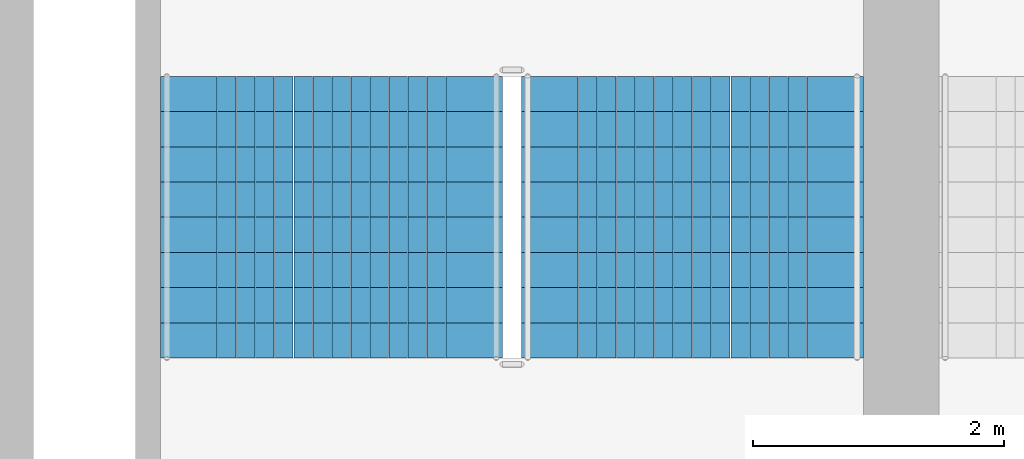
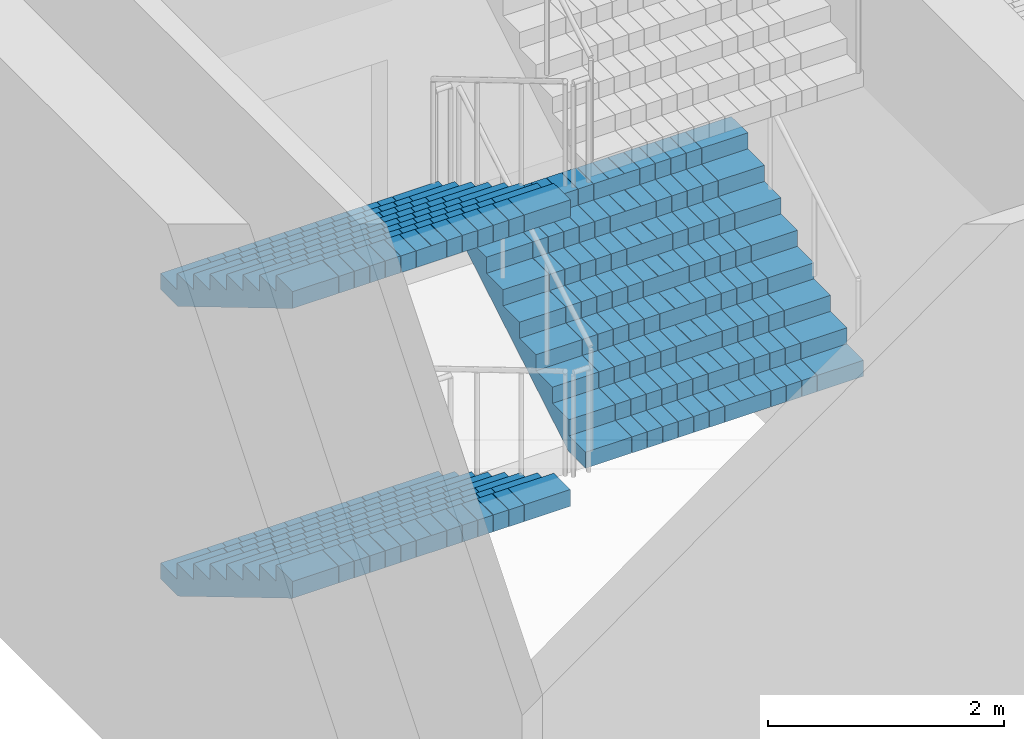
# One storey, part 20 of 43: 3 stair flights, 1 element without a shape of its own.
"""IFC4 building model written with IfcOpenShell, lengths in metres."""

from ifc_helpers import new_model, si_unit, direction, frame, origin, place, context, subcontext, project, spatial, polyline, outline, extrude, material, type_object, element, aggregate, save


model = new_model("IFC4")

# Units and contexts
model_context = context("Model", 3, precision=1e-05, world=origin(), true_north=direction((0.0, 1.0)))
body_context = subcontext(model_context, "Body", "Model", "MODEL_VIEW")
ifc_project = project(units=[si_unit("LENGTHUNIT", "METRE"), si_unit("AREAUNIT", "SQUARE_METRE"), si_unit("VOLUMEUNIT", "CUBIC_METRE"), si_unit("PLANEANGLEUNIT", "RADIAN"), si_unit("MASSUNIT", "GRAM", prefix="KILO")], contexts=[model_context])

# Site, building, storey
site_placement = place(None, origin())
site = spatial("IfcSite", under=ifc_project, at=site_placement, CompositionType="ELEMENT")
building_placement = place(site_placement, origin())
building = spatial("IfcBuilding", under=site, at=building_placement, Name="Corbelhall Arena Tower", CompositionType="ELEMENT")
storey_placement = place(building_placement, frame((0.0, 0.0, 25.0)))
storey = spatial("IfcBuildingStorey", under=building, at=storey_placement, Name="L03", CompositionType="ELEMENT", Elevation=25.0)

# Stair, stair flights
ifc_material = material(Name="Reinforced concrete C40/50", Category="concrete")
stair_type = type_object("IfcStairType", Name="AR-EXIT-STAIR", PredefinedType="HALF_TURN_STAIR", material=ifc_material)
stair_placement = place(storey_placement, origin())
stair = element("IfcStair", 1, at=stair_placement, inside=storey, type_object=stair_type, Name="L03 exit stair AS8", PredefinedType="HALF_TURN_STAIR")
stair_flight_type = type_object("IfcStairFlightType", Name="AR-EXIT-FLIGHT", PredefinedType="STRAIGHT", material=ifc_material)
stair_flight_1_placement = place(storey_placement, frame((-45.030029296875, -27.320068359375, 0.0), z_axis=(0.0, 0.0, 1.0), x_axis=(0.0, -1.0, 0.0)))
stair_flight_1 = element("IfcStairFlight", 2, at=stair_flight_1_placement, type_object=stair_flight_type, Name="AS8 flight 1", NumberOfRisers=9, NumberOfTreads=8, PredefinedType="STRAIGHT", RiserHeight=0.166666667, TreadLength=0.28, context=body_context, shape_type="SweptSolid", body=[
    extrude(outline(polyline([(0.0, 0.0), (0.0, 0.166748046875), (0.280029296875, 0.166748046875), (0.280029296875, 0.333251953125), (0.56005859375, 0.333251953125), (0.56005859375, 0.5), (0.840087890625, 0.5), (0.840087890625, 0.666748046875), (1.1201171875, 0.666748046875), (1.1201171875, 0.833251953125), (1.39990234375, 0.833251953125), (1.39990234375, 1.0), (1.679931640625, 1.0), (1.679931640625, 1.166748046875), (1.9599609375, 1.166748046875), (1.9599609375, 1.333251953125), (2.239990234375, 1.333251953125), (2.239990234375, 1.5), (2.239990234375, 1.158935546875), (0.29296875, 0.0), (0.0, 0.0)])), frame((0.0, 1.35986328125, 0.0), z_axis=(0.0, -1.0, 0.0), x_axis=(1.0, 0.0, 0.0)), (0.0, 0.0, 1.0), 0.449951171875),
    extrude(outline(polyline([(0.0, 0.0), (0.0, 0.166748046875), (0.280029296875, 0.166748046875), (0.280029296875, 0.333251953125), (0.56005859375, 0.333251953125), (0.56005859375, 0.5), (0.840087890625, 0.5), (0.840087890625, 0.666748046875), (1.1201171875, 0.666748046875), (1.1201171875, 0.833251953125), (1.39990234375, 0.833251953125), (1.39990234375, 1.0), (1.679931640625, 1.0), (1.679931640625, 1.166748046875), (1.9599609375, 1.166748046875), (1.9599609375, 1.333251953125), (2.239990234375, 1.333251953125), (2.239990234375, 1.5), (2.239990234375, 1.158935546875), (0.29296875, 0.0), (0.0, 0.0)])), frame((0.0, 0.906005859375, 0.0), z_axis=(0.0, -1.0, 0.0), x_axis=(1.0, 0.0, 0.0)), (0.0, 0.0, 1.0), 0.147216796875),
    extrude(outline(polyline([(0.0, 0.0), (0.0, 0.166748046875), (0.280029296875, 0.166748046875), (0.280029296875, 0.333251953125), (0.56005859375, 0.333251953125), (0.56005859375, 0.5), (0.840087890625, 0.5), (0.840087890625, 0.666748046875), (1.1201171875, 0.666748046875), (1.1201171875, 0.833251953125), (1.39990234375, 0.833251953125), (1.39990234375, 1.0), (1.679931640625, 1.0), (1.679931640625, 1.166748046875), (1.9599609375, 1.166748046875), (1.9599609375, 1.333251953125), (2.239990234375, 1.333251953125), (2.239990234375, 1.5), (2.239990234375, 1.158935546875), (0.29296875, 0.0), (0.0, 0.0)])), frame((0.0, 0.754638671875, 0.0), z_axis=(0.0, -1.0, 0.0), x_axis=(1.0, 0.0, 0.0)), (0.0, 0.0, 1.0), 0.147216796875),
    extrude(outline(polyline([(0.0, 0.0), (0.0, 0.166748046875), (0.280029296875, 0.166748046875), (0.280029296875, 0.333251953125), (0.56005859375, 0.333251953125), (0.56005859375, 0.5), (0.840087890625, 0.5), (0.840087890625, 0.666748046875), (1.1201171875, 0.666748046875), (1.1201171875, 0.833251953125), (1.39990234375, 0.833251953125), (1.39990234375, 1.0), (1.679931640625, 1.0), (1.679931640625, 1.166748046875), (1.9599609375, 1.166748046875), (1.9599609375, 1.333251953125), (2.239990234375, 1.333251953125), (2.239990234375, 1.5), (2.239990234375, 1.158935546875), (0.29296875, 0.0), (0.0, 0.0)])), frame((0.0, 0.603271484375, 0.0), z_axis=(0.0, -1.0, 0.0), x_axis=(1.0, 0.0, 0.0)), (0.0, 0.0, 1.0), 0.147216796875),
    extrude(outline(polyline([(0.0, 0.0), (0.0, 0.166748046875), (0.280029296875, 0.166748046875), (0.280029296875, 0.333251953125), (0.56005859375, 0.333251953125), (0.56005859375, 0.5), (0.840087890625, 0.5), (0.840087890625, 0.666748046875), (1.1201171875, 0.666748046875), (1.1201171875, 0.833251953125), (1.39990234375, 0.833251953125), (1.39990234375, 1.0), (1.679931640625, 1.0), (1.679931640625, 1.166748046875), (1.9599609375, 1.166748046875), (1.9599609375, 1.333251953125), (2.239990234375, 1.333251953125), (2.239990234375, 1.5), (2.239990234375, 1.158935546875), (0.29296875, 0.0), (0.0, 0.0)])), frame((0.0, 0.451904296875, 0.0), z_axis=(0.0, -1.0, 0.0), x_axis=(1.0, 0.0, 0.0)), (0.0, 0.0, 1.0), 0.147216796875),
    extrude(outline(polyline([(0.0, 0.0), (0.0, 0.166748046875), (0.280029296875, 0.166748046875), (0.280029296875, 0.333251953125), (0.56005859375, 0.333251953125), (0.56005859375, 0.5), (0.840087890625, 0.5), (0.840087890625, 0.666748046875), (1.1201171875, 0.666748046875), (1.1201171875, 0.833251953125), (1.39990234375, 0.833251953125), (1.39990234375, 1.0), (1.679931640625, 1.0), (1.679931640625, 1.166748046875), (1.9599609375, 1.166748046875), (1.9599609375, 1.333251953125), (2.239990234375, 1.333251953125), (2.239990234375, 1.5), (2.239990234375, 1.158935546875), (0.29296875, 0.0), (0.0, 0.0)])), frame((0.0, 0.30078125, 0.0), z_axis=(0.0, -1.0, 0.0), x_axis=(1.0, 0.0, 0.0)), (0.0, 0.0, 1.0), 0.147216796875),
    extrude(outline(polyline([(0.0, 0.0), (0.0, 0.166748046875), (0.280029296875, 0.166748046875), (0.280029296875, 0.333251953125), (0.56005859375, 0.333251953125), (0.56005859375, 0.5), (0.840087890625, 0.5), (0.840087890625, 0.666748046875), (1.1201171875, 0.666748046875), (1.1201171875, 0.833251953125), (1.39990234375, 0.833251953125), (1.39990234375, 1.0), (1.679931640625, 1.0), (1.679931640625, 1.166748046875), (1.9599609375, 1.166748046875), (1.9599609375, 1.333251953125), (2.239990234375, 1.333251953125), (2.239990234375, 1.5), (2.239990234375, 1.158935546875), (0.29296875, 0.0), (0.0, 0.0)])), frame((0.0, 0.1494140625, 0.0), z_axis=(0.0, -1.0, 0.0), x_axis=(1.0, 0.0, 0.0)), (0.0, 0.0, 1.0), 0.147216796875),
    extrude(outline(polyline([(0.0, 0.0), (0.0, 0.166748046875), (0.280029296875, 0.166748046875), (0.280029296875, 0.333251953125), (0.56005859375, 0.333251953125), (0.56005859375, 0.5), (0.840087890625, 0.5), (0.840087890625, 0.666748046875), (1.1201171875, 0.666748046875), (1.1201171875, 0.833251953125), (1.39990234375, 0.833251953125), (1.39990234375, 1.0), (1.679931640625, 1.0), (1.679931640625, 1.166748046875), (1.9599609375, 1.166748046875), (1.9599609375, 1.333251953125), (2.239990234375, 1.333251953125), (2.239990234375, 1.5), (2.239990234375, 1.158935546875), (0.29296875, 0.0), (0.0, 0.0)])), frame((0.0, -0.001953125, 0.0), z_axis=(0.0, -1.0, 0.0), x_axis=(1.0, 0.0, 0.0)), (0.0, 0.0, 1.0), 0.147216796875),
    extrude(outline(polyline([(0.0, 0.0), (0.0, 0.166748046875), (0.280029296875, 0.166748046875), (0.280029296875, 0.333251953125), (0.56005859375, 0.333251953125), (0.56005859375, 0.5), (0.840087890625, 0.5), (0.840087890625, 0.666748046875), (1.1201171875, 0.666748046875), (1.1201171875, 0.833251953125), (1.39990234375, 0.833251953125), (1.39990234375, 1.0), (1.679931640625, 1.0), (1.679931640625, 1.166748046875), (1.9599609375, 1.166748046875), (1.9599609375, 1.333251953125), (2.239990234375, 1.333251953125), (2.239990234375, 1.5), (2.239990234375, 1.158935546875), (0.29296875, 0.0), (0.0, 0.0)])), frame((0.0, -0.1533203125, 0.0), z_axis=(0.0, -1.0, 0.0), x_axis=(1.0, 0.0, 0.0)), (0.0, 0.0, 1.0), 0.147216796875),
    extrude(outline(polyline([(0.0, 0.0), (0.0, 0.166748046875), (0.280029296875, 0.166748046875), (0.280029296875, 0.333251953125), (0.56005859375, 0.333251953125), (0.56005859375, 0.5), (0.840087890625, 0.5), (0.840087890625, 0.666748046875), (1.1201171875, 0.666748046875), (1.1201171875, 0.833251953125), (1.39990234375, 0.833251953125), (1.39990234375, 1.0), (1.679931640625, 1.0), (1.679931640625, 1.166748046875), (1.9599609375, 1.166748046875), (1.9599609375, 1.333251953125), (2.239990234375, 1.333251953125), (2.239990234375, 1.5), (2.239990234375, 1.158935546875), (0.29296875, 0.0), (0.0, 0.0)])), frame((0.0, -0.3046875, 0.0), z_axis=(0.0, -1.0, 0.0), x_axis=(1.0, 0.0, 0.0)), (0.0, 0.0, 1.0), 0.147216796875),
    extrude(outline(polyline([(0.0, 0.0), (0.0, 0.166748046875), (0.280029296875, 0.166748046875), (0.280029296875, 0.333251953125), (0.56005859375, 0.333251953125), (0.56005859375, 0.5), (0.840087890625, 0.5), (0.840087890625, 0.666748046875), (1.1201171875, 0.666748046875), (1.1201171875, 0.833251953125), (1.39990234375, 0.833251953125), (1.39990234375, 1.0), (1.679931640625, 1.0), (1.679931640625, 1.166748046875), (1.9599609375, 1.166748046875), (1.9599609375, 1.333251953125), (2.239990234375, 1.333251953125), (2.239990234375, 1.5), (2.239990234375, 1.158935546875), (0.29296875, 0.0), (0.0, 0.0)])), frame((0.0, -0.4560546875, 0.0), z_axis=(0.0, -1.0, 0.0), x_axis=(1.0, 0.0, 0.0)), (0.0, 0.0, 1.0), 0.147216796875),
    extrude(outline(polyline([(0.0, 0.0), (0.0, 0.166748046875), (0.280029296875, 0.166748046875), (0.280029296875, 0.333251953125), (0.56005859375, 0.333251953125), (0.56005859375, 0.5), (0.840087890625, 0.5), (0.840087890625, 0.666748046875), (1.1201171875, 0.666748046875), (1.1201171875, 0.833251953125), (1.39990234375, 0.833251953125), (1.39990234375, 1.0), (1.679931640625, 1.0), (1.679931640625, 1.166748046875), (1.9599609375, 1.166748046875), (1.9599609375, 1.333251953125), (2.239990234375, 1.333251953125), (2.239990234375, 1.5), (2.239990234375, 1.158935546875), (0.29296875, 0.0), (0.0, 0.0)])), frame((0.0, -0.607421875, 0.0), z_axis=(0.0, -1.0, 0.0), x_axis=(1.0, 0.0, 0.0)), (0.0, 0.0, 1.0), 0.147216796875),
    extrude(outline(polyline([(0.0, 0.0), (0.0, 0.166748046875), (0.280029296875, 0.166748046875), (0.280029296875, 0.333251953125), (0.56005859375, 0.333251953125), (0.56005859375, 0.5), (0.840087890625, 0.5), (0.840087890625, 0.666748046875), (1.1201171875, 0.666748046875), (1.1201171875, 0.833251953125), (1.39990234375, 0.833251953125), (1.39990234375, 1.0), (1.679931640625, 1.0), (1.679931640625, 1.166748046875), (1.9599609375, 1.166748046875), (1.9599609375, 1.333251953125), (2.239990234375, 1.333251953125), (2.239990234375, 1.5), (2.239990234375, 1.158935546875), (0.29296875, 0.0), (0.0, 0.0)])), frame((0.0, -0.758544921875, 0.0), z_axis=(0.0, -1.0, 0.0), x_axis=(1.0, 0.0, 0.0)), (0.0, 0.0, 1.0), 0.147216796875),
    extrude(outline(polyline([(0.0, 0.0), (0.0, 0.166748046875), (0.280029296875, 0.166748046875), (0.280029296875, 0.333251953125), (0.56005859375, 0.333251953125), (0.56005859375, 0.5), (0.840087890625, 0.5), (0.840087890625, 0.666748046875), (1.1201171875, 0.666748046875), (1.1201171875, 0.833251953125), (1.39990234375, 0.833251953125), (1.39990234375, 1.0), (1.679931640625, 1.0), (1.679931640625, 1.166748046875), (1.9599609375, 1.166748046875), (1.9599609375, 1.333251953125), (2.239990234375, 1.333251953125), (2.239990234375, 1.5), (2.239990234375, 1.158935546875), (0.29296875, 0.0), (0.0, 0.0)])), frame((0.0, -0.909912109375, 0.0), z_axis=(0.0, -1.0, 0.0), x_axis=(1.0, 0.0, 0.0)), (0.0, 0.0, 1.0), 0.449951171875),
])
stair_flight_2_placement = place(storey_placement, frame((-42.159912109375, -29.56005859375, 1.5), z_axis=(0.0, 0.0, 1.0), x_axis=(0.0, 1.0, 0.0)))
stair_flight_2 = element("IfcStairFlight", 3, at=stair_flight_2_placement, type_object=stair_flight_type, Name="AS8 flight 2", NumberOfRisers=9, NumberOfTreads=8, PredefinedType="STRAIGHT", RiserHeight=0.166666667, TreadLength=0.28, context=body_context, shape_type="SweptSolid", body=[
    extrude(outline(polyline([(0.0, 0.0), (0.0, 0.166748046875), (0.280029296875, 0.166748046875), (0.280029296875, 0.333251953125), (0.56005859375, 0.333251953125), (0.56005859375, 0.5), (0.840087890625, 0.5), (0.840087890625, 0.666748046875), (1.1201171875, 0.666748046875), (1.1201171875, 0.833251953125), (1.39990234375, 0.833251953125), (1.39990234375, 1.0), (1.679931640625, 1.0), (1.679931640625, 1.166748046875), (1.9599609375, 1.166748046875), (1.9599609375, 1.333251953125), (2.239990234375, 1.333251953125), (2.239990234375, 1.5), (2.239990234375, 1.158935546875), (0.29296875, 0.0), (0.0, 0.0)])), frame((0.0, 1.35986328125, 0.0), z_axis=(0.0, -1.0, 0.0), x_axis=(1.0, 0.0, 0.0)), (0.0, 0.0, 1.0), 0.449951171875),
    extrude(outline(polyline([(0.0, 0.0), (0.0, 0.166748046875), (0.280029296875, 0.166748046875), (0.280029296875, 0.333251953125), (0.56005859375, 0.333251953125), (0.56005859375, 0.5), (0.840087890625, 0.5), (0.840087890625, 0.666748046875), (1.1201171875, 0.666748046875), (1.1201171875, 0.833251953125), (1.39990234375, 0.833251953125), (1.39990234375, 1.0), (1.679931640625, 1.0), (1.679931640625, 1.166748046875), (1.9599609375, 1.166748046875), (1.9599609375, 1.333251953125), (2.239990234375, 1.333251953125), (2.239990234375, 1.5), (2.239990234375, 1.158935546875), (0.29296875, 0.0), (0.0, 0.0)])), frame((0.0, 0.906005859375, 0.0), z_axis=(0.0, -1.0, 0.0), x_axis=(1.0, 0.0, 0.0)), (0.0, 0.0, 1.0), 0.147216796875),
    extrude(outline(polyline([(0.0, 0.0), (0.0, 0.166748046875), (0.280029296875, 0.166748046875), (0.280029296875, 0.333251953125), (0.56005859375, 0.333251953125), (0.56005859375, 0.5), (0.840087890625, 0.5), (0.840087890625, 0.666748046875), (1.1201171875, 0.666748046875), (1.1201171875, 0.833251953125), (1.39990234375, 0.833251953125), (1.39990234375, 1.0), (1.679931640625, 1.0), (1.679931640625, 1.166748046875), (1.9599609375, 1.166748046875), (1.9599609375, 1.333251953125), (2.239990234375, 1.333251953125), (2.239990234375, 1.5), (2.239990234375, 1.158935546875), (0.29296875, 0.0), (0.0, 0.0)])), frame((0.0, 0.754638671875, 0.0), z_axis=(0.0, -1.0, 0.0), x_axis=(1.0, 0.0, 0.0)), (0.0, 0.0, 1.0), 0.147216796875),
    extrude(outline(polyline([(0.0, 0.0), (0.0, 0.166748046875), (0.280029296875, 0.166748046875), (0.280029296875, 0.333251953125), (0.56005859375, 0.333251953125), (0.56005859375, 0.5), (0.840087890625, 0.5), (0.840087890625, 0.666748046875), (1.1201171875, 0.666748046875), (1.1201171875, 0.833251953125), (1.39990234375, 0.833251953125), (1.39990234375, 1.0), (1.679931640625, 1.0), (1.679931640625, 1.166748046875), (1.9599609375, 1.166748046875), (1.9599609375, 1.333251953125), (2.239990234375, 1.333251953125), (2.239990234375, 1.5), (2.239990234375, 1.158935546875), (0.29296875, 0.0), (0.0, 0.0)])), frame((0.0, 0.603271484375, 0.0), z_axis=(0.0, -1.0, 0.0), x_axis=(1.0, 0.0, 0.0)), (0.0, 0.0, 1.0), 0.147216796875),
    extrude(outline(polyline([(0.0, 0.0), (0.0, 0.166748046875), (0.280029296875, 0.166748046875), (0.280029296875, 0.333251953125), (0.56005859375, 0.333251953125), (0.56005859375, 0.5), (0.840087890625, 0.5), (0.840087890625, 0.666748046875), (1.1201171875, 0.666748046875), (1.1201171875, 0.833251953125), (1.39990234375, 0.833251953125), (1.39990234375, 1.0), (1.679931640625, 1.0), (1.679931640625, 1.166748046875), (1.9599609375, 1.166748046875), (1.9599609375, 1.333251953125), (2.239990234375, 1.333251953125), (2.239990234375, 1.5), (2.239990234375, 1.158935546875), (0.29296875, 0.0), (0.0, 0.0)])), frame((0.0, 0.451904296875, 0.0), z_axis=(0.0, -1.0, 0.0), x_axis=(1.0, 0.0, 0.0)), (0.0, 0.0, 1.0), 0.147216796875),
    extrude(outline(polyline([(0.0, 0.0), (0.0, 0.166748046875), (0.280029296875, 0.166748046875), (0.280029296875, 0.333251953125), (0.56005859375, 0.333251953125), (0.56005859375, 0.5), (0.840087890625, 0.5), (0.840087890625, 0.666748046875), (1.1201171875, 0.666748046875), (1.1201171875, 0.833251953125), (1.39990234375, 0.833251953125), (1.39990234375, 1.0), (1.679931640625, 1.0), (1.679931640625, 1.166748046875), (1.9599609375, 1.166748046875), (1.9599609375, 1.333251953125), (2.239990234375, 1.333251953125), (2.239990234375, 1.5), (2.239990234375, 1.158935546875), (0.29296875, 0.0), (0.0, 0.0)])), frame((0.0, 0.30078125, 0.0), z_axis=(0.0, -1.0, 0.0), x_axis=(1.0, 0.0, 0.0)), (0.0, 0.0, 1.0), 0.147216796875),
    extrude(outline(polyline([(0.0, 0.0), (0.0, 0.166748046875), (0.280029296875, 0.166748046875), (0.280029296875, 0.333251953125), (0.56005859375, 0.333251953125), (0.56005859375, 0.5), (0.840087890625, 0.5), (0.840087890625, 0.666748046875), (1.1201171875, 0.666748046875), (1.1201171875, 0.833251953125), (1.39990234375, 0.833251953125), (1.39990234375, 1.0), (1.679931640625, 1.0), (1.679931640625, 1.166748046875), (1.9599609375, 1.166748046875), (1.9599609375, 1.333251953125), (2.239990234375, 1.333251953125), (2.239990234375, 1.5), (2.239990234375, 1.158935546875), (0.29296875, 0.0), (0.0, 0.0)])), frame((0.0, 0.1494140625, 0.0), z_axis=(0.0, -1.0, 0.0), x_axis=(1.0, 0.0, 0.0)), (0.0, 0.0, 1.0), 0.147216796875),
    extrude(outline(polyline([(0.0, 0.0), (0.0, 0.166748046875), (0.280029296875, 0.166748046875), (0.280029296875, 0.333251953125), (0.56005859375, 0.333251953125), (0.56005859375, 0.5), (0.840087890625, 0.5), (0.840087890625, 0.666748046875), (1.1201171875, 0.666748046875), (1.1201171875, 0.833251953125), (1.39990234375, 0.833251953125), (1.39990234375, 1.0), (1.679931640625, 1.0), (1.679931640625, 1.166748046875), (1.9599609375, 1.166748046875), (1.9599609375, 1.333251953125), (2.239990234375, 1.333251953125), (2.239990234375, 1.5), (2.239990234375, 1.158935546875), (0.29296875, 0.0), (0.0, 0.0)])), frame((0.0, -0.001953125, 0.0), z_axis=(0.0, -1.0, 0.0), x_axis=(1.0, 0.0, 0.0)), (0.0, 0.0, 1.0), 0.147216796875),
    extrude(outline(polyline([(0.0, 0.0), (0.0, 0.166748046875), (0.280029296875, 0.166748046875), (0.280029296875, 0.333251953125), (0.56005859375, 0.333251953125), (0.56005859375, 0.5), (0.840087890625, 0.5), (0.840087890625, 0.666748046875), (1.1201171875, 0.666748046875), (1.1201171875, 0.833251953125), (1.39990234375, 0.833251953125), (1.39990234375, 1.0), (1.679931640625, 1.0), (1.679931640625, 1.166748046875), (1.9599609375, 1.166748046875), (1.9599609375, 1.333251953125), (2.239990234375, 1.333251953125), (2.239990234375, 1.5), (2.239990234375, 1.158935546875), (0.29296875, 0.0), (0.0, 0.0)])), frame((0.0, -0.1533203125, 0.0), z_axis=(0.0, -1.0, 0.0), x_axis=(1.0, 0.0, 0.0)), (0.0, 0.0, 1.0), 0.147216796875),
    extrude(outline(polyline([(0.0, 0.0), (0.0, 0.166748046875), (0.280029296875, 0.166748046875), (0.280029296875, 0.333251953125), (0.56005859375, 0.333251953125), (0.56005859375, 0.5), (0.840087890625, 0.5), (0.840087890625, 0.666748046875), (1.1201171875, 0.666748046875), (1.1201171875, 0.833251953125), (1.39990234375, 0.833251953125), (1.39990234375, 1.0), (1.679931640625, 1.0), (1.679931640625, 1.166748046875), (1.9599609375, 1.166748046875), (1.9599609375, 1.333251953125), (2.239990234375, 1.333251953125), (2.239990234375, 1.5), (2.239990234375, 1.158935546875), (0.29296875, 0.0), (0.0, 0.0)])), frame((0.0, -0.3046875, 0.0), z_axis=(0.0, -1.0, 0.0), x_axis=(1.0, 0.0, 0.0)), (0.0, 0.0, 1.0), 0.147216796875),
    extrude(outline(polyline([(0.0, 0.0), (0.0, 0.166748046875), (0.280029296875, 0.166748046875), (0.280029296875, 0.333251953125), (0.56005859375, 0.333251953125), (0.56005859375, 0.5), (0.840087890625, 0.5), (0.840087890625, 0.666748046875), (1.1201171875, 0.666748046875), (1.1201171875, 0.833251953125), (1.39990234375, 0.833251953125), (1.39990234375, 1.0), (1.679931640625, 1.0), (1.679931640625, 1.166748046875), (1.9599609375, 1.166748046875), (1.9599609375, 1.333251953125), (2.239990234375, 1.333251953125), (2.239990234375, 1.5), (2.239990234375, 1.158935546875), (0.29296875, 0.0), (0.0, 0.0)])), frame((0.0, -0.4560546875, 0.0), z_axis=(0.0, -1.0, 0.0), x_axis=(1.0, 0.0, 0.0)), (0.0, 0.0, 1.0), 0.147216796875),
    extrude(outline(polyline([(0.0, 0.0), (0.0, 0.166748046875), (0.280029296875, 0.166748046875), (0.280029296875, 0.333251953125), (0.56005859375, 0.333251953125), (0.56005859375, 0.5), (0.840087890625, 0.5), (0.840087890625, 0.666748046875), (1.1201171875, 0.666748046875), (1.1201171875, 0.833251953125), (1.39990234375, 0.833251953125), (1.39990234375, 1.0), (1.679931640625, 1.0), (1.679931640625, 1.166748046875), (1.9599609375, 1.166748046875), (1.9599609375, 1.333251953125), (2.239990234375, 1.333251953125), (2.239990234375, 1.5), (2.239990234375, 1.158935546875), (0.29296875, 0.0), (0.0, 0.0)])), frame((0.0, -0.607421875, 0.0), z_axis=(0.0, -1.0, 0.0), x_axis=(1.0, 0.0, 0.0)), (0.0, 0.0, 1.0), 0.147216796875),
    extrude(outline(polyline([(0.0, 0.0), (0.0, 0.166748046875), (0.280029296875, 0.166748046875), (0.280029296875, 0.333251953125), (0.56005859375, 0.333251953125), (0.56005859375, 0.5), (0.840087890625, 0.5), (0.840087890625, 0.666748046875), (1.1201171875, 0.666748046875), (1.1201171875, 0.833251953125), (1.39990234375, 0.833251953125), (1.39990234375, 1.0), (1.679931640625, 1.0), (1.679931640625, 1.166748046875), (1.9599609375, 1.166748046875), (1.9599609375, 1.333251953125), (2.239990234375, 1.333251953125), (2.239990234375, 1.5), (2.239990234375, 1.158935546875), (0.29296875, 0.0), (0.0, 0.0)])), frame((0.0, -0.758544921875, 0.0), z_axis=(0.0, -1.0, 0.0), x_axis=(1.0, 0.0, 0.0)), (0.0, 0.0, 1.0), 0.147216796875),
    extrude(outline(polyline([(0.0, 0.0), (0.0, 0.166748046875), (0.280029296875, 0.166748046875), (0.280029296875, 0.333251953125), (0.56005859375, 0.333251953125), (0.56005859375, 0.5), (0.840087890625, 0.5), (0.840087890625, 0.666748046875), (1.1201171875, 0.666748046875), (1.1201171875, 0.833251953125), (1.39990234375, 0.833251953125), (1.39990234375, 1.0), (1.679931640625, 1.0), (1.679931640625, 1.166748046875), (1.9599609375, 1.166748046875), (1.9599609375, 1.333251953125), (2.239990234375, 1.333251953125), (2.239990234375, 1.5), (2.239990234375, 1.158935546875), (0.29296875, 0.0), (0.0, 0.0)])), frame((0.0, -0.909912109375, 0.0), z_axis=(0.0, -1.0, 0.0), x_axis=(1.0, 0.0, 0.0)), (0.0, 0.0, 1.0), 0.449951171875),
])
stair_flight_3_placement = place(storey_placement, frame((-45.030029296875, -27.320068359375, 3.0), z_axis=(0.0, 0.0, 1.0), x_axis=(0.0, -1.0, 0.0)))
stair_flight_3 = element("IfcStairFlight", 4, at=stair_flight_3_placement, type_object=stair_flight_type, Name="AS8 flight 3", NumberOfRisers=9, NumberOfTreads=8, PredefinedType="STRAIGHT", RiserHeight=0.166666667, TreadLength=0.28, context=body_context, shape_type="SweptSolid", body=[
    extrude(outline(polyline([(0.0, 0.0), (0.0, 0.166748046875), (0.280029296875, 0.166748046875), (0.280029296875, 0.333251953125), (0.56005859375, 0.333251953125), (0.56005859375, 0.5), (0.840087890625, 0.5), (0.840087890625, 0.666748046875), (1.1201171875, 0.666748046875), (1.1201171875, 0.833251953125), (1.39990234375, 0.833251953125), (1.39990234375, 1.0), (1.679931640625, 1.0), (1.679931640625, 1.166748046875), (1.9599609375, 1.166748046875), (1.9599609375, 1.333251953125), (2.239990234375, 1.333251953125), (2.239990234375, 1.5), (2.239990234375, 1.158935546875), (0.29296875, 0.0), (0.0, 0.0)])), frame((0.0, 1.35986328125, 0.0), z_axis=(0.0, -1.0, 0.0), x_axis=(1.0, 0.0, 0.0)), (0.0, 0.0, 1.0), 0.449951171875),
    extrude(outline(polyline([(0.0, 0.0), (0.0, 0.166748046875), (0.280029296875, 0.166748046875), (0.280029296875, 0.333251953125), (0.56005859375, 0.333251953125), (0.56005859375, 0.5), (0.840087890625, 0.5), (0.840087890625, 0.666748046875), (1.1201171875, 0.666748046875), (1.1201171875, 0.833251953125), (1.39990234375, 0.833251953125), (1.39990234375, 1.0), (1.679931640625, 1.0), (1.679931640625, 1.166748046875), (1.9599609375, 1.166748046875), (1.9599609375, 1.333251953125), (2.239990234375, 1.333251953125), (2.239990234375, 1.5), (2.239990234375, 1.158935546875), (0.29296875, 0.0), (0.0, 0.0)])), frame((0.0, 0.906005859375, 0.0), z_axis=(0.0, -1.0, 0.0), x_axis=(1.0, 0.0, 0.0)), (0.0, 0.0, 1.0), 0.147216796875),
    extrude(outline(polyline([(0.0, 0.0), (0.0, 0.166748046875), (0.280029296875, 0.166748046875), (0.280029296875, 0.333251953125), (0.56005859375, 0.333251953125), (0.56005859375, 0.5), (0.840087890625, 0.5), (0.840087890625, 0.666748046875), (1.1201171875, 0.666748046875), (1.1201171875, 0.833251953125), (1.39990234375, 0.833251953125), (1.39990234375, 1.0), (1.679931640625, 1.0), (1.679931640625, 1.166748046875), (1.9599609375, 1.166748046875), (1.9599609375, 1.333251953125), (2.239990234375, 1.333251953125), (2.239990234375, 1.5), (2.239990234375, 1.158935546875), (0.29296875, 0.0), (0.0, 0.0)])), frame((0.0, 0.754638671875, 0.0), z_axis=(0.0, -1.0, 0.0), x_axis=(1.0, 0.0, 0.0)), (0.0, 0.0, 1.0), 0.147216796875),
    extrude(outline(polyline([(0.0, 0.0), (0.0, 0.166748046875), (0.280029296875, 0.166748046875), (0.280029296875, 0.333251953125), (0.56005859375, 0.333251953125), (0.56005859375, 0.5), (0.840087890625, 0.5), (0.840087890625, 0.666748046875), (1.1201171875, 0.666748046875), (1.1201171875, 0.833251953125), (1.39990234375, 0.833251953125), (1.39990234375, 1.0), (1.679931640625, 1.0), (1.679931640625, 1.166748046875), (1.9599609375, 1.166748046875), (1.9599609375, 1.333251953125), (2.239990234375, 1.333251953125), (2.239990234375, 1.5), (2.239990234375, 1.158935546875), (0.29296875, 0.0), (0.0, 0.0)])), frame((0.0, 0.603271484375, 0.0), z_axis=(0.0, -1.0, 0.0), x_axis=(1.0, 0.0, 0.0)), (0.0, 0.0, 1.0), 0.147216796875),
    extrude(outline(polyline([(0.0, 0.0), (0.0, 0.166748046875), (0.280029296875, 0.166748046875), (0.280029296875, 0.333251953125), (0.56005859375, 0.333251953125), (0.56005859375, 0.5), (0.840087890625, 0.5), (0.840087890625, 0.666748046875), (1.1201171875, 0.666748046875), (1.1201171875, 0.833251953125), (1.39990234375, 0.833251953125), (1.39990234375, 1.0), (1.679931640625, 1.0), (1.679931640625, 1.166748046875), (1.9599609375, 1.166748046875), (1.9599609375, 1.333251953125), (2.239990234375, 1.333251953125), (2.239990234375, 1.5), (2.239990234375, 1.158935546875), (0.29296875, 0.0), (0.0, 0.0)])), frame((0.0, 0.451904296875, 0.0), z_axis=(0.0, -1.0, 0.0), x_axis=(1.0, 0.0, 0.0)), (0.0, 0.0, 1.0), 0.147216796875),
    extrude(outline(polyline([(0.0, 0.0), (0.0, 0.166748046875), (0.280029296875, 0.166748046875), (0.280029296875, 0.333251953125), (0.56005859375, 0.333251953125), (0.56005859375, 0.5), (0.840087890625, 0.5), (0.840087890625, 0.666748046875), (1.1201171875, 0.666748046875), (1.1201171875, 0.833251953125), (1.39990234375, 0.833251953125), (1.39990234375, 1.0), (1.679931640625, 1.0), (1.679931640625, 1.166748046875), (1.9599609375, 1.166748046875), (1.9599609375, 1.333251953125), (2.239990234375, 1.333251953125), (2.239990234375, 1.5), (2.239990234375, 1.158935546875), (0.29296875, 0.0), (0.0, 0.0)])), frame((0.0, 0.30078125, 0.0), z_axis=(0.0, -1.0, 0.0), x_axis=(1.0, 0.0, 0.0)), (0.0, 0.0, 1.0), 0.147216796875),
    extrude(outline(polyline([(0.0, 0.0), (0.0, 0.166748046875), (0.280029296875, 0.166748046875), (0.280029296875, 0.333251953125), (0.56005859375, 0.333251953125), (0.56005859375, 0.5), (0.840087890625, 0.5), (0.840087890625, 0.666748046875), (1.1201171875, 0.666748046875), (1.1201171875, 0.833251953125), (1.39990234375, 0.833251953125), (1.39990234375, 1.0), (1.679931640625, 1.0), (1.679931640625, 1.166748046875), (1.9599609375, 1.166748046875), (1.9599609375, 1.333251953125), (2.239990234375, 1.333251953125), (2.239990234375, 1.5), (2.239990234375, 1.158935546875), (0.29296875, 0.0), (0.0, 0.0)])), frame((0.0, 0.1494140625, 0.0), z_axis=(0.0, -1.0, 0.0), x_axis=(1.0, 0.0, 0.0)), (0.0, 0.0, 1.0), 0.147216796875),
    extrude(outline(polyline([(0.0, 0.0), (0.0, 0.166748046875), (0.280029296875, 0.166748046875), (0.280029296875, 0.333251953125), (0.56005859375, 0.333251953125), (0.56005859375, 0.5), (0.840087890625, 0.5), (0.840087890625, 0.666748046875), (1.1201171875, 0.666748046875), (1.1201171875, 0.833251953125), (1.39990234375, 0.833251953125), (1.39990234375, 1.0), (1.679931640625, 1.0), (1.679931640625, 1.166748046875), (1.9599609375, 1.166748046875), (1.9599609375, 1.333251953125), (2.239990234375, 1.333251953125), (2.239990234375, 1.5), (2.239990234375, 1.158935546875), (0.29296875, 0.0), (0.0, 0.0)])), frame((0.0, -0.001953125, 0.0), z_axis=(0.0, -1.0, 0.0), x_axis=(1.0, 0.0, 0.0)), (0.0, 0.0, 1.0), 0.147216796875),
    extrude(outline(polyline([(0.0, 0.0), (0.0, 0.166748046875), (0.280029296875, 0.166748046875), (0.280029296875, 0.333251953125), (0.56005859375, 0.333251953125), (0.56005859375, 0.5), (0.840087890625, 0.5), (0.840087890625, 0.666748046875), (1.1201171875, 0.666748046875), (1.1201171875, 0.833251953125), (1.39990234375, 0.833251953125), (1.39990234375, 1.0), (1.679931640625, 1.0), (1.679931640625, 1.166748046875), (1.9599609375, 1.166748046875), (1.9599609375, 1.333251953125), (2.239990234375, 1.333251953125), (2.239990234375, 1.5), (2.239990234375, 1.158935546875), (0.29296875, 0.0), (0.0, 0.0)])), frame((0.0, -0.1533203125, 0.0), z_axis=(0.0, -1.0, 0.0), x_axis=(1.0, 0.0, 0.0)), (0.0, 0.0, 1.0), 0.147216796875),
    extrude(outline(polyline([(0.0, 0.0), (0.0, 0.166748046875), (0.280029296875, 0.166748046875), (0.280029296875, 0.333251953125), (0.56005859375, 0.333251953125), (0.56005859375, 0.5), (0.840087890625, 0.5), (0.840087890625, 0.666748046875), (1.1201171875, 0.666748046875), (1.1201171875, 0.833251953125), (1.39990234375, 0.833251953125), (1.39990234375, 1.0), (1.679931640625, 1.0), (1.679931640625, 1.166748046875), (1.9599609375, 1.166748046875), (1.9599609375, 1.333251953125), (2.239990234375, 1.333251953125), (2.239990234375, 1.5), (2.239990234375, 1.158935546875), (0.29296875, 0.0), (0.0, 0.0)])), frame((0.0, -0.3046875, 0.0), z_axis=(0.0, -1.0, 0.0), x_axis=(1.0, 0.0, 0.0)), (0.0, 0.0, 1.0), 0.147216796875),
    extrude(outline(polyline([(0.0, 0.0), (0.0, 0.166748046875), (0.280029296875, 0.166748046875), (0.280029296875, 0.333251953125), (0.56005859375, 0.333251953125), (0.56005859375, 0.5), (0.840087890625, 0.5), (0.840087890625, 0.666748046875), (1.1201171875, 0.666748046875), (1.1201171875, 0.833251953125), (1.39990234375, 0.833251953125), (1.39990234375, 1.0), (1.679931640625, 1.0), (1.679931640625, 1.166748046875), (1.9599609375, 1.166748046875), (1.9599609375, 1.333251953125), (2.239990234375, 1.333251953125), (2.239990234375, 1.5), (2.239990234375, 1.158935546875), (0.29296875, 0.0), (0.0, 0.0)])), frame((0.0, -0.4560546875, 0.0), z_axis=(0.0, -1.0, 0.0), x_axis=(1.0, 0.0, 0.0)), (0.0, 0.0, 1.0), 0.147216796875),
    extrude(outline(polyline([(0.0, 0.0), (0.0, 0.166748046875), (0.280029296875, 0.166748046875), (0.280029296875, 0.333251953125), (0.56005859375, 0.333251953125), (0.56005859375, 0.5), (0.840087890625, 0.5), (0.840087890625, 0.666748046875), (1.1201171875, 0.666748046875), (1.1201171875, 0.833251953125), (1.39990234375, 0.833251953125), (1.39990234375, 1.0), (1.679931640625, 1.0), (1.679931640625, 1.166748046875), (1.9599609375, 1.166748046875), (1.9599609375, 1.333251953125), (2.239990234375, 1.333251953125), (2.239990234375, 1.5), (2.239990234375, 1.158935546875), (0.29296875, 0.0), (0.0, 0.0)])), frame((0.0, -0.607421875, 0.0), z_axis=(0.0, -1.0, 0.0), x_axis=(1.0, 0.0, 0.0)), (0.0, 0.0, 1.0), 0.147216796875),
    extrude(outline(polyline([(0.0, 0.0), (0.0, 0.166748046875), (0.280029296875, 0.166748046875), (0.280029296875, 0.333251953125), (0.56005859375, 0.333251953125), (0.56005859375, 0.5), (0.840087890625, 0.5), (0.840087890625, 0.666748046875), (1.1201171875, 0.666748046875), (1.1201171875, 0.833251953125), (1.39990234375, 0.833251953125), (1.39990234375, 1.0), (1.679931640625, 1.0), (1.679931640625, 1.166748046875), (1.9599609375, 1.166748046875), (1.9599609375, 1.333251953125), (2.239990234375, 1.333251953125), (2.239990234375, 1.5), (2.239990234375, 1.158935546875), (0.29296875, 0.0), (0.0, 0.0)])), frame((0.0, -0.758544921875, 0.0), z_axis=(0.0, -1.0, 0.0), x_axis=(1.0, 0.0, 0.0)), (0.0, 0.0, 1.0), 0.147216796875),
    extrude(outline(polyline([(0.0, 0.0), (0.0, 0.166748046875), (0.280029296875, 0.166748046875), (0.280029296875, 0.333251953125), (0.56005859375, 0.333251953125), (0.56005859375, 0.5), (0.840087890625, 0.5), (0.840087890625, 0.666748046875), (1.1201171875, 0.666748046875), (1.1201171875, 0.833251953125), (1.39990234375, 0.833251953125), (1.39990234375, 1.0), (1.679931640625, 1.0), (1.679931640625, 1.166748046875), (1.9599609375, 1.166748046875), (1.9599609375, 1.333251953125), (2.239990234375, 1.333251953125), (2.239990234375, 1.5), (2.239990234375, 1.158935546875), (0.29296875, 0.0), (0.0, 0.0)])), frame((0.0, -0.909912109375, 0.0), z_axis=(0.0, -1.0, 0.0), x_axis=(1.0, 0.0, 0.0)), (0.0, 0.0, 1.0), 0.449951171875),
])
aggregate(stair, [stair_flight_1, stair_flight_2, stair_flight_3])

save(model, "model.ifc")
